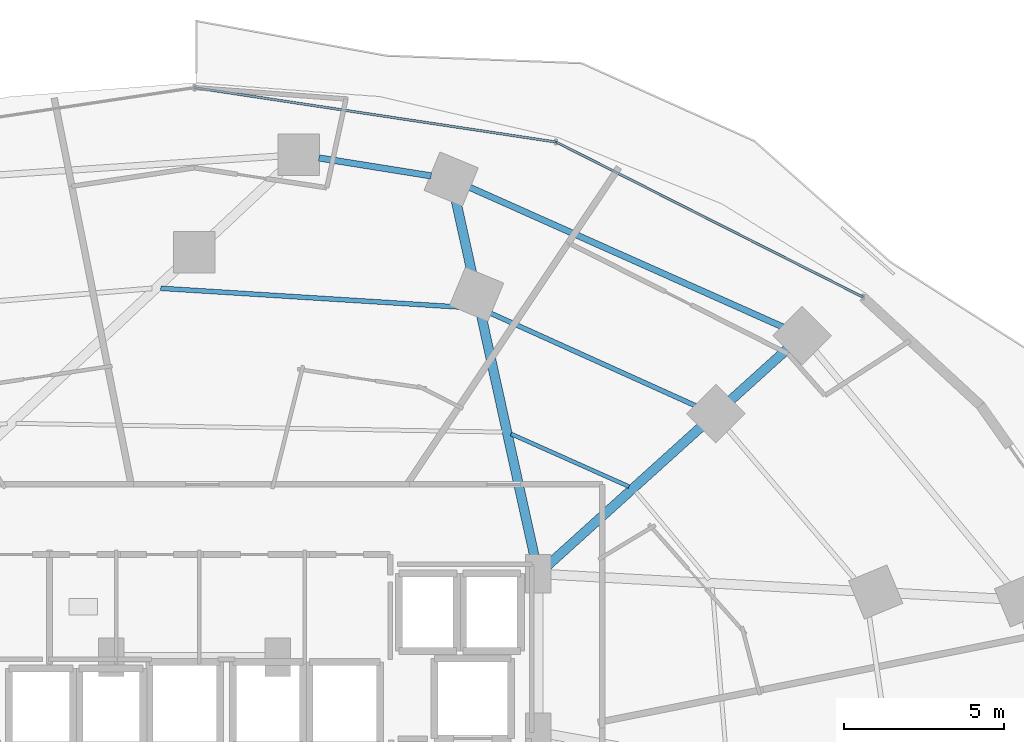
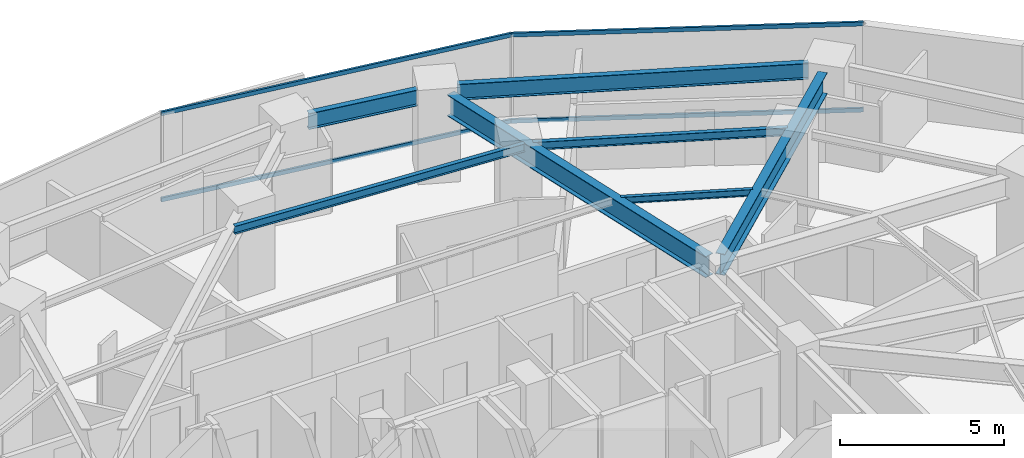
# One storey, part 19 of 30: 7 beams, 4 members, 1 element without a shape of its own.
"""IFC4 building model written with IfcOpenShell, lengths in metres."""

from ifc_helpers import new_model, si_unit, direction, frame, origin, origin_2d, place, context, subcontext, project, spatial, hollow_rectangle, i_section, extrude, material, material_profile, profile_set, type_object, element, aggregate, save


model = new_model("IFC4")

# Units and contexts
model_context = context("Model", 3, precision=1e-05, world=origin(), true_north=direction((0.0, 1.0)))
body_context = subcontext(model_context, "Body", "Model", "MODEL_VIEW")
ifc_project = project(units=[si_unit("LENGTHUNIT", "METRE"), si_unit("AREAUNIT", "SQUARE_METRE"), si_unit("VOLUMEUNIT", "CUBIC_METRE"), si_unit("PLANEANGLEUNIT", "RADIAN"), si_unit("MASSUNIT", "GRAM", prefix="KILO")], contexts=[model_context])

# Site, building, storey
site_placement = place(None, origin())
site = spatial("IfcSite", under=ifc_project, at=site_placement, CompositionType="ELEMENT")
building_placement = place(site_placement, origin())
building = spatial("IfcBuilding", under=site, at=building_placement, Name="Vorneva Point Tower", CompositionType="ELEMENT")
storey_placement = place(building_placement, frame((0.0, 0.0, 41.5)))
storey = spatial("IfcBuildingStorey", under=building, at=storey_placement, Name="L10", CompositionType="ELEMENT", Elevation=41.5)

# Beams
ifc_material_1 = material(Name="Steel S355", Category="steel")
ifc_material_profile_1 = material_profile(ifc_material_1, i_section(OverallWidth=0.300048828125, OverallDepth=0.7880859375, WebThickness=0.014404296875, FlangeThickness=0.02197265625, at=origin_2d()), Name="80Sh1")
ifc_profile_set_1 = profile_set([ifc_material_profile_1], Name="Steel S355")
beam_type_1 = type_object("IfcBeamType", Name="BM-GRD-80Sh1", PredefinedType="USERDEFINED", material=ifc_profile_set_1)
beam_1_placement = place(storey_placement, frame((56.52392578125, 40.172119140625, 2.845947265625), z_axis=(-0.742084477445, -0.67030636901, 0.0), x_axis=(0.67030636901, -0.742084477445, 0.0)))
element("IfcBeam", 1, at=beam_1_placement, inside=storey, type_object=beam_type_1, Name="L10 Radial Primary Girder 03", ObjectType="GIRDER", PredefinedType="USERDEFINED", context=body_context, shape_type="SweptSolid", body=[
    extrude(i_section(OverallWidth=0.300048828125, OverallDepth=0.7880859375, WebThickness=0.014404296875, FlangeThickness=0.02197265625, at=origin_2d()), origin(), (0.0, 0.0, 1.0), 10.135986328125),
])
beam_2_placement = place(storey_placement, frame((46.163818359375, 44.86865234375, 2.845947265625), z_axis=(0.215504784711, -0.976502784311, 0.0), x_axis=(0.976502784311, 0.215504784711, 0.0)))
element("IfcBeam", 2, at=beam_2_placement, inside=storey, type_object=beam_type_1, Name="L10 Radial Primary Girder 04", ObjectType="GIRDER", PredefinedType="USERDEFINED", context=body_context, shape_type="SweptSolid", body=[
    extrude(i_section(OverallWidth=0.300048828125, OverallDepth=0.7880859375, WebThickness=0.014404296875, FlangeThickness=0.02197265625, at=origin_2d()), origin(), (0.0, 0.0, 1.0), 11.66064453125),
])
ifc_material_profile_2 = material_profile(ifc_material_1, i_section(OverallWidth=0.1240234375, OverallDepth=0.248046875, WebThickness=0.0048828125, FlangeThickness=0.008056640625, at=origin_2d()), Name="25B1")
ifc_profile_set_2 = profile_set([ifc_material_profile_2], Name="Steel S355")
beam_type_2 = type_object("IfcBeamType", Name="BM-JST-25B1", PredefinedType="JOIST", material=ifc_profile_set_2)
beam_3_placement = place(storey_placement, frame((51.583984375, 35.8798828125, 3.115966796875), z_axis=(-0.913186925574, 0.40754096599, 0.0), x_axis=(-0.40754096599, -0.913186925574, 0.0)))
element("IfcBeam", 3, at=beam_3_placement, inside=storey, type_object=beam_type_2, Name="L10 Secondary Floor Beam 2.03", PredefinedType="JOIST", context=body_context, shape_type="SweptSolid", body=[
    extrude(i_section(OverallWidth=0.1240234375, OverallDepth=0.248046875, WebThickness=0.0048828125, FlangeThickness=0.008056640625, at=origin_2d()), origin(), (0.0, 0.0, 1.0), 4.036376953125),
])
ifc_material_profile_3 = material_profile(ifc_material_1, i_section(OverallWidth=0.14892578125, OverallDepth=0.298095703125, WebThickness=0.005615234375, FlangeThickness=0.008056640625, at=origin_2d()), Name="30B1")
ifc_profile_set_3 = profile_set([ifc_material_profile_3], Name="Steel S355")
beam_type_3 = type_object("IfcBeamType", Name="BM-JST-30B1", PredefinedType="JOIST", material=ifc_profile_set_3)
beam_4_placement = place(storey_placement, frame((54.1416015625, 38.190673828125, 3.091064453125), z_axis=(-0.911396391121, 0.411529607988, 0.0), x_axis=(-0.411529607988, -0.911396391121, 0.0)))
element("IfcBeam", 4, at=beam_4_placement, inside=storey, type_object=beam_type_3, Name="L10 Secondary Floor Beam 1.03", PredefinedType="JOIST", context=body_context, shape_type="SweptSolid", body=[
    extrude(i_section(OverallWidth=0.14892578125, OverallDepth=0.298095703125, WebThickness=0.005615234375, FlangeThickness=0.008056640625, at=origin_2d()), origin(), (0.0, 0.0, 1.0), 7.7880859375),
])
beam_5_placement = place(storey_placement, frame((46.77978515625, 41.461181640625, 3.091064453125), z_axis=(-0.998039153369, 0.062592717963, 0.0), x_axis=(-0.062592717963, -0.998039153369, 0.0)))
element("IfcBeam", 5, at=beam_5_placement, inside=storey, type_object=beam_type_3, Name="L10 Secondary Floor Beam 1.04", PredefinedType="JOIST", context=body_context, shape_type="SweptSolid", body=[
    extrude(i_section(OverallWidth=0.14892578125, OverallDepth=0.298095703125, WebThickness=0.005615234375, FlangeThickness=0.008056640625, at=origin_2d()), origin(), (0.0, 0.0, 1.0), 9.8525390625),
])
ifc_material_profile_4 = material_profile(ifc_material_1, i_section(OverallWidth=0.198974609375, OverallDepth=0.595947265625, WebThickness=0.010009765625, FlangeThickness=0.014892578125, at=origin_2d()), Name="60B1")
ifc_profile_set_4 = profile_set([ifc_material_profile_4], Name="Steel S355")
beam_type_4 = type_object("IfcBeamType", Name="BM-SPN-60B1", PredefinedType="SPANDREL", material=ifc_profile_set_4)
beam_6_placement = place(storey_placement, frame((56.41748046875, 40.8583984375, 2.94189453125), z_axis=(-0.913329187558, 0.407222046499, 0.0), x_axis=(-0.407222046499, -0.913329187558, 0.0)))
element("IfcBeam", 6, at=beam_6_placement, inside=storey, type_object=beam_type_4, Name="L10 Perimeter Spandrel Ring Beam 03", PredefinedType="SPANDREL", context=body_context, shape_type="SweptSolid", body=[
    extrude(i_section(OverallWidth=0.198974609375, OverallDepth=0.595947265625, WebThickness=0.010009765625, FlangeThickness=0.014892578125, at=origin_2d()), origin(), (0.0, 0.0, 1.0), 10.742431640625),
])
beam_7_placement = place(storey_placement, frame((45.399169921875, 45.591796875, 2.94189453125), z_axis=(-0.987466356523, 0.157829638328, 0.0), x_axis=(-0.157829638328, -0.987466356523, 0.0)))
element("IfcBeam", 7, at=beam_7_placement, inside=storey, type_object=beam_type_4, Name="L10 Perimeter Spandrel Ring Beam 04", PredefinedType="SPANDREL", context=body_context, shape_type="SweptSolid", body=[
    extrude(i_section(OverallWidth=0.198974609375, OverallDepth=0.595947265625, WebThickness=0.010009765625, FlangeThickness=0.014892578125, at=origin_2d()), origin(), (0.0, 0.0, 1.0), 3.551513671875),
])

# Curtain wall, members
ifc_material_2 = material(Name="Pale anodised aluminium", Category="aluminium")
curtain_wall_type = type_object("IfcCurtainWallType", Name="CW-HTL-SYS", PredefinedType="NOTDEFINED", material=ifc_material_2)
curtain_wall_placement = place(storey_placement, origin())
curtain_wall = element("IfcCurtainWall", 8, at=curtain_wall_placement, inside=storey, type_object=curtain_wall_type, Name="L10 Unitised Curtain Wall CW-L10-R02", PredefinedType="NOTDEFINED")
ifc_material_profile_5 = material_profile(ifc_material_2, hollow_rectangle(XDim=0.074951171875, YDim=0.14990234375, WallThickness=0.00390625, at=origin_2d()), Name="AL-TRN 150x75x4")
ifc_profile_set_5 = profile_set([ifc_material_profile_5], Name="Pale anodised aluminium")
member_type = type_object("IfcMemberType", Name="CW-TRN-150", PredefinedType="USERDEFINED", material=ifc_profile_set_5)
member_1_placement = place(storey_placement, frame((58.89501953125, 41.8037109375, 0.02001953125), z_axis=(-0.892496057621, 0.451055192999, 0.0), x_axis=(-0.451055192999, -0.892496057621, 0.0)))
member_1 = element("IfcMember", 9, at=member_1_placement, type_object=member_type, Name="CW-L10-R02 Transom 01.1", ObjectType="TRANSOM", PredefinedType="USERDEFINED", context=body_context, shape_type="SweptSolid", body=[
    extrude(hollow_rectangle(XDim=0.074951171875, YDim=0.14990234375, WallThickness=0.00390625, at=origin_2d()), origin(), (0.0, 0.0, 1.0), 10.741455078125),
])
member_2_placement = place(storey_placement, frame((58.89501953125, 41.8037109375, 3.219970703125), z_axis=(-0.892496057621, 0.451055192999, 0.0), x_axis=(-0.451055192999, -0.892496057621, 0.0)))
member_2 = element("IfcMember", 10, at=member_2_placement, type_object=member_type, Name="CW-L10-R02 Transom 01.2", ObjectType="TRANSOM", PredefinedType="USERDEFINED", context=body_context, shape_type="SweptSolid", body=[
    extrude(hollow_rectangle(XDim=0.074951171875, YDim=0.14990234375, WallThickness=0.00390625, at=origin_2d()), origin(), (0.0, 0.0, 1.0), 10.741455078125),
])
member_3_placement = place(storey_placement, frame((49.308349609375, 46.648681640625, 0.02001953125), z_axis=(-0.988870014575, 0.148782036131, 0.0), x_axis=(-0.148782036131, -0.988870014575, 0.0)))
member_3 = element("IfcMember", 11, at=member_3_placement, type_object=member_type, Name="CW-L10-R02 Transom 02.1", ObjectType="TRANSOM", PredefinedType="USERDEFINED", context=body_context, shape_type="SweptSolid", body=[
    extrude(hollow_rectangle(XDim=0.074951171875, YDim=0.14990234375, WallThickness=0.00390625, at=origin_2d()), origin(), (0.0, 0.0, 1.0), 11.435546875),
])
member_4_placement = place(storey_placement, frame((49.308349609375, 46.648681640625, 3.219970703125), z_axis=(-0.988870014575, 0.148782036131, 0.0), x_axis=(-0.148782036131, -0.988870014575, 0.0)))
member_4 = element("IfcMember", 12, at=member_4_placement, type_object=member_type, Name="CW-L10-R02 Transom 02.2", ObjectType="TRANSOM", PredefinedType="USERDEFINED", context=body_context, shape_type="SweptSolid", body=[
    extrude(hollow_rectangle(XDim=0.074951171875, YDim=0.14990234375, WallThickness=0.00390625, at=origin_2d()), origin(), (0.0, 0.0, 1.0), 11.435546875),
])
aggregate(curtain_wall, [member_1, member_2, member_3, member_4])

save(model, "model.ifc")
